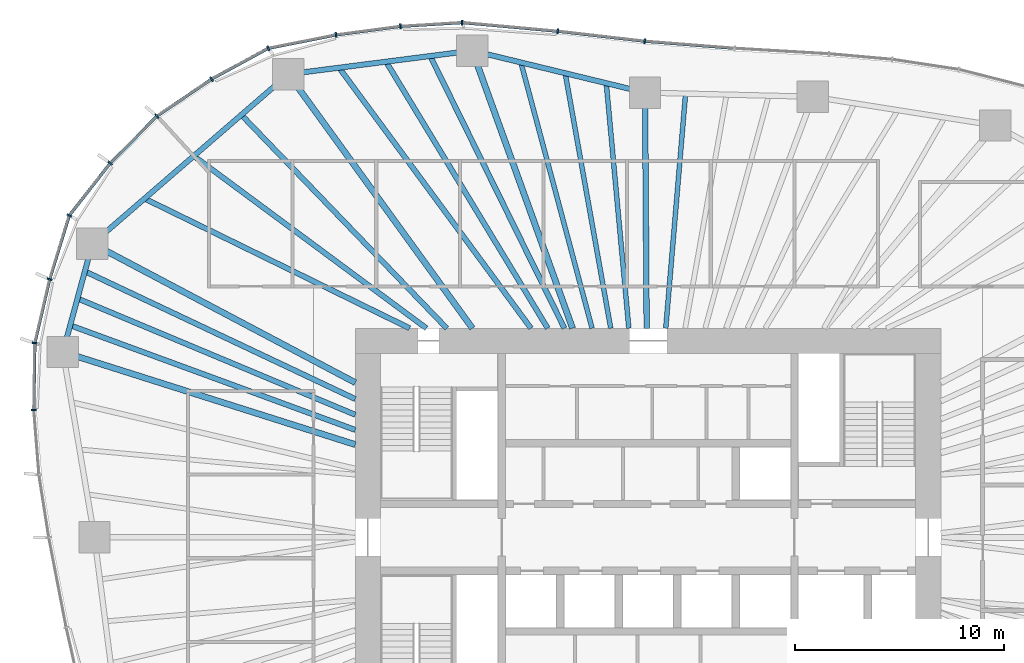
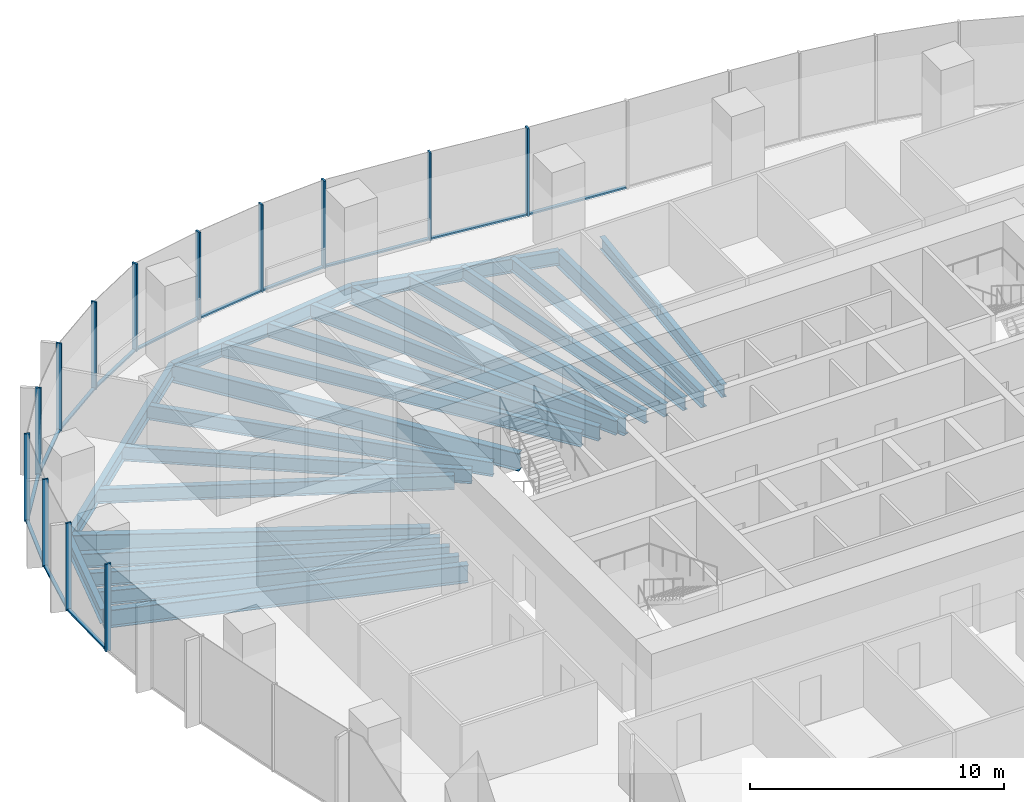
# One storey, part 5 of 18: 26 members, 22 beams, 6 elements without a shape of their own.
"""IFC4 building model written with IfcOpenShell, lengths in metres."""

from ifc_helpers import new_model, si_unit, direction, frame, origin, origin_2d, place, context, subcontext, project, spatial, rectangle, i_section, extrude, material, material_profile, profile_set, type_object, element, aggregate, save


model = new_model("IFC4")

# Units and contexts
model_context = context("Model", 3, precision=1e-05, world=origin(), true_north=direction((0.0, 1.0)))
body_context = subcontext(model_context, "Body", "Model", "MODEL_VIEW")
ifc_project = project(units=[si_unit("LENGTHUNIT", "METRE"), si_unit("AREAUNIT", "SQUARE_METRE"), si_unit("VOLUMEUNIT", "CUBIC_METRE"), si_unit("PLANEANGLEUNIT", "RADIAN"), si_unit("MASSUNIT", "GRAM", prefix="KILO")], contexts=[model_context])

# Site, building, storey
site_placement = place(None, origin())
site = spatial("IfcSite", under=ifc_project, at=site_placement, CompositionType="ELEMENT")
building_placement = place(site_placement, origin())
building = spatial("IfcBuilding", under=site, at=building_placement, Name="Ghaith Harvest Tower", CompositionType="ELEMENT")
storey_placement = place(building_placement, frame((0.0, 0.0, 113.39990234375)))
storey = spatial("IfcBuildingStorey", under=building, at=storey_placement, Name="L23", CompositionType="ELEMENT", Elevation=113.39990234375)

# Curtain wall, members
ifc_material_1 = material(Name="Black anodised aluminium and fritted glass", Category="aluminium")
curtain_wall_type = type_object("IfcCurtainWallType", Name="CW-L CURTAIN WALL", PredefinedType="NOTDEFINED", material=ifc_material_1)
curtain_wall_1_placement = place(storey_placement, origin())
curtain_wall_1 = element("IfcCurtainWall", 1, at=curtain_wall_1_placement, inside=storey, type_object=curtain_wall_type, Name="Curtain wall CW-L bay 06 L23", PredefinedType="NOTDEFINED")
ifc_material_2 = material(Name="Aluminium, black anodised", Category="aluminium")
ifc_material_profile_1 = material_profile(ifc_material_2, rectangle(XDim=0.080078125, YDim=0.239990234375, at=origin_2d()), Name="CW-L MULLION 80x240")
ifc_profile_set_1 = profile_set([ifc_material_profile_1], Name="Aluminium, black anodised")
member_type_1 = type_object("IfcMemberType", Name="CW-L MULLION 80x240", PredefinedType="MULLION", material=ifc_profile_set_1)
member_1_placement = place(storey_placement, frame((-0.162353515625, 23.729736328125, 0.0), z_axis=(0.0, 0.0, 1.0), x_axis=(-0.995388088953, 0.095929934691, 0.0)))
member_1 = element("IfcMember", 2, at=member_1_placement, type_object=member_type_1, Name="CW-L mullion 1 bay 06 L23", PredefinedType="MULLION", context=body_context, shape_type="SweptSolid", body=[
    extrude(rectangle(XDim=0.080078125, YDim=0.239990234375, at=origin_2d()), origin(), (0.0, 0.0, 1.0), 4.2001953125),
])
member_2_placement = place(storey_placement, frame((-4.322998046875, 24.207275390625, 0.0), z_axis=(0.0, 0.0, 1.0), x_axis=(-0.994830371571, 0.101550636625, 0.0)))
member_2 = element("IfcMember", 3, at=member_2_placement, type_object=member_type_1, Name="CW-L mullion 2 bay 06 L23", PredefinedType="MULLION", context=body_context, shape_type="SweptSolid", body=[
    extrude(rectangle(XDim=0.080078125, YDim=0.239990234375, at=origin_2d()), origin(), (0.0, 0.0, 1.0), 4.2001953125),
])

curtain_wall_2_placement = place(storey_placement, origin())
curtain_wall_2 = element("IfcCurtainWall", 4, at=curtain_wall_2_placement, inside=storey, type_object=curtain_wall_type, Name="Curtain wall CW-L bay 07 L23", PredefinedType="NOTDEFINED")
member_3_placement = place(storey_placement, frame((-8.892578125, 24.620849609375, 0.0), z_axis=(0.0, 0.0, 1.0), x_axis=(-0.999522209385, 0.030908784286, 0.0)))
member_3 = element("IfcMember", 5, at=member_3_placement, type_object=member_type_1, Name="CW-L mullion 1 bay 07 L23", PredefinedType="MULLION", context=body_context, shape_type="SweptSolid", body=[
    extrude(rectangle(XDim=0.080078125, YDim=0.239990234375, at=origin_2d()), origin(), (0.0, 0.0, 1.0), 4.2001953125),
])
member_4_placement = place(storey_placement, frame((-11.841064453125, 24.439697265625, 0.0), z_axis=(0.0, 0.0, 1.0), x_axis=(-0.995237520168, -0.097479630949, 0.0)))
member_4 = element("IfcMember", 6, at=member_4_placement, type_object=member_type_1, Name="CW-L mullion 2 bay 07 L23", PredefinedType="MULLION", context=body_context, shape_type="SweptSolid", body=[
    extrude(rectangle(XDim=0.080078125, YDim=0.239990234375, at=origin_2d()), origin(), (0.0, 0.0, 1.0), 4.2001953125),
])
member_5_placement = place(storey_placement, frame((-14.923828125, 24.030029296875, 0.0), z_axis=(0.0, 0.0, 1.0), x_axis=(-0.986494514812, -0.163794298578, 0.0)))
member_5 = element("IfcMember", 7, at=member_5_placement, type_object=member_type_1, Name="CW-L mullion 3 bay 07 L23", PredefinedType="MULLION", context=body_context, shape_type="SweptSolid", body=[
    extrude(rectangle(XDim=0.080078125, YDim=0.239990234375, at=origin_2d()), origin(), (0.0, 0.0, 1.0), 4.2001953125),
])

curtain_wall_3_placement = place(storey_placement, origin())
curtain_wall_3 = element("IfcCurtainWall", 8, at=curtain_wall_3_placement, inside=storey, type_object=curtain_wall_type, Name="Curtain wall CW-L bay 08 L23", PredefinedType="NOTDEFINED")
member_6_placement = place(storey_placement, frame((-18.165283203125, 23.3896484375, 0.0), z_axis=(0.0, 0.0, 1.0), x_axis=(-0.942103541202, -0.335322110298, 0.0)))
member_6 = element("IfcMember", 9, at=member_6_placement, type_object=member_type_1, Name="CW-L mullion 1 bay 08 L23", PredefinedType="MULLION", context=body_context, shape_type="SweptSolid", body=[
    extrude(rectangle(XDim=0.080078125, YDim=0.239990234375, at=origin_2d()), origin(), (0.0, 0.0, 1.0), 4.2001953125),
])
member_7_placement = place(storey_placement, frame((-20.87548828125, 21.91162109375, 0.0), z_axis=(0.0, 0.0, 1.0), x_axis=(-0.853515864435, -0.521066856707, 0.0)))
member_7 = element("IfcMember", 10, at=member_7_placement, type_object=member_type_1, Name="CW-L mullion 2 bay 08 L23", PredefinedType="MULLION", context=body_context, shape_type="SweptSolid", body=[
    extrude(rectangle(XDim=0.080078125, YDim=0.239990234375, at=origin_2d()), origin(), (0.0, 0.0, 1.0), 4.2001953125),
])
member_8_placement = place(storey_placement, frame((-23.489501953125, 20.13916015625, 0.0), z_axis=(0.0, 0.0, 1.0), x_axis=(-0.769682554376, -0.638426789451, 0.0)))
member_8 = element("IfcMember", 11, at=member_8_placement, type_object=member_type_1, Name="CW-L mullion 3 bay 08 L23", PredefinedType="MULLION", context=body_context, shape_type="SweptSolid", body=[
    extrude(rectangle(XDim=0.080078125, YDim=0.239990234375, at=origin_2d()), origin(), (0.0, 0.0, 1.0), 4.2001953125),
])

curtain_wall_4_placement = place(storey_placement, origin())
curtain_wall_4 = element("IfcCurtainWall", 12, at=curtain_wall_4_placement, inside=storey, type_object=curtain_wall_type, Name="Curtain wall CW-L bay 09 L23", PredefinedType="NOTDEFINED")
member_9_placement = place(storey_placement, frame((-25.718017578125, 17.894775390625, 0.0), z_axis=(0.0, 0.0, 1.0), x_axis=(-0.661903840688, -0.749588757708, 0.0)))
member_9 = element("IfcMember", 13, at=member_9_placement, type_object=member_type_1, Name="CW-L mullion 1 bay 09 L23", PredefinedType="MULLION", context=body_context, shape_type="SweptSolid", body=[
    extrude(rectangle(XDim=0.080078125, YDim=0.239990234375, at=origin_2d()), origin(), (0.0, 0.0, 1.0), 4.2001953125),
])
member_10_placement = place(storey_placement, frame((-27.67919921875, 15.39453125, 0.0), z_axis=(0.0, 0.0, 1.0), x_axis=(-0.462889784298, -0.886415843491, 0.0)))
member_10 = element("IfcMember", 14, at=member_10_placement, type_object=member_type_1, Name="CW-L mullion 2 bay 09 L23", PredefinedType="MULLION", context=body_context, shape_type="SweptSolid", body=[
    extrude(rectangle(XDim=0.080078125, YDim=0.239990234375, at=origin_2d()), origin(), (0.0, 0.0, 1.0), 4.2001953125),
])
member_11_placement = place(storey_placement, frame((-28.61669921875, 12.343994140625, 0.0), z_axis=(0.0, 0.0, 1.0), x_axis=(-0.260727312416, -0.965412486226, 0.0)))
member_11 = element("IfcMember", 15, at=member_11_placement, type_object=member_type_1, Name="CW-L mullion 3 bay 09 L23", PredefinedType="MULLION", context=body_context, shape_type="SweptSolid", body=[
    extrude(rectangle(XDim=0.080078125, YDim=0.239990234375, at=origin_2d()), origin(), (0.0, 0.0, 1.0), 4.2001953125),
])

curtain_wall_5_placement = place(storey_placement, origin())
curtain_wall_5 = element("IfcCurtainWall", 16, at=curtain_wall_5_placement, inside=storey, type_object=curtain_wall_type, Name="Curtain wall CW-L bay 10 L23", PredefinedType="NOTDEFINED")
member_12_placement = place(storey_placement, frame((-29.32666015625, 9.294189453125, 0.0), z_axis=(0.0, 0.0, 1.0), x_axis=(-0.120932140225, -0.99266077663, 0.0)))
member_12 = element("IfcMember", 17, at=member_12_placement, type_object=member_type_1, Name="CW-L mullion 1 bay 10 L23", PredefinedType="MULLION", context=body_context, shape_type="SweptSolid", body=[
    extrude(rectangle(XDim=0.080078125, YDim=0.239990234375, at=origin_2d()), origin(), (0.0, 0.0, 1.0), 4.2001953125),
])
member_13_placement = place(storey_placement, frame((-29.3779296875, 6.09619140625, 0.0), z_axis=(0.0, 0.0, 1.0), x_axis=(0.031027769448, -0.999518522851, 0.0)))
member_13 = element("IfcMember", 18, at=member_13_placement, type_object=member_type_1, Name="CW-L mullion 2 bay 10 L23", PredefinedType="MULLION", context=body_context, shape_type="SweptSolid", body=[
    extrude(rectangle(XDim=0.080078125, YDim=0.239990234375, at=origin_2d()), origin(), (0.0, 0.0, 1.0), 4.2001953125),
])

# Curtain wall, member
curtain_wall_6_placement = place(storey_placement, origin())
curtain_wall_6 = element("IfcCurtainWall", 19, at=curtain_wall_6_placement, inside=storey, type_object=curtain_wall_type, Name="Curtain wall CW-L bay 05 L23", PredefinedType="NOTDEFINED")
ifc_material_3 = material(Name="Aluminium, black anodised", Category="aluminium")
ifc_material_profile_2 = material_profile(ifc_material_3, rectangle(XDim=0.14990234375, YDim=0.080078125, at=origin_2d()), Name="CW-L TRANSOM 150x80")
ifc_profile_set_2 = profile_set([ifc_material_profile_2], Name="Aluminium, black anodised")
member_type_2 = type_object("IfcMemberType", Name="CW-L TRANSOM 150x80", PredefinedType="USERDEFINED", material=ifc_profile_set_2)
member_14_placement = place(storey_placement, frame((4.106689453125, 23.39404296875, 0.0400390625), z_axis=(-0.996923406046, 0.078381901463, 0.0), x_axis=(-0.078381901463, -0.996923406046, 0.0)))
member_14 = element("IfcMember", 20, at=member_14_placement, type_object=member_type_2, Name="CW-L transom 2 bay 05 L23", ObjectType="TRANSOM", PredefinedType="USERDEFINED", context=body_context, shape_type="SweptSolid", body=[
    extrude(rectangle(XDim=0.14990234375, YDim=0.080078125, at=origin_2d()), origin(), (0.0, 0.0, 1.0), 4.2421875),
])
aggregate(curtain_wall_6, [member_14])

# Member
member_15_placement = place(storey_placement, frame((-0.2021484375, 23.734130859375, 0.0400390625), z_axis=(-0.993474883942, 0.114051106861, 0.0), x_axis=(-0.114051106861, -0.993474883942, 0.0)))
member_15 = element("IfcMember", 21, at=member_15_placement, type_object=member_type_2, Name="CW-L transom 1 bay 06 L23", ObjectType="TRANSOM", PredefinedType="USERDEFINED", context=body_context, shape_type="SweptSolid", body=[
    extrude(rectangle(XDim=0.14990234375, YDim=0.080078125, at=origin_2d()), origin(), (0.0, 0.0, 1.0), 4.10791015625),
])

member_16_placement = place(storey_placement, frame((-4.36279296875, 24.210693359375, 0.0400390625), z_axis=(-0.995926431676, 0.090169521954, 0.0), x_axis=(-0.090169521954, -0.995926431676, 0.0)))
member_16 = element("IfcMember", 22, at=member_16_placement, type_object=member_type_2, Name="CW-L transom 2 bay 06 L23", ObjectType="TRANSOM", PredefinedType="USERDEFINED", context=body_context, shape_type="SweptSolid", body=[
    extrude(rectangle(XDim=0.14990234375, YDim=0.080078125, at=origin_2d()), origin(), (0.0, 0.0, 1.0), 4.508056640625),
])

aggregate(curtain_wall_1, [member_1, member_15, member_2, member_16])

member_17_placement = place(storey_placement, frame((-8.932373046875, 24.618408203125, 0.0400390625), z_axis=(-0.998117793577, -0.061325933705, 0.0), x_axis=(0.061325933705, -0.998117793577, 0.0)))
member_17 = element("IfcMember", 23, at=member_17_placement, type_object=member_type_2, Name="CW-L transom 1 bay 07 L23", ObjectType="TRANSOM", PredefinedType="USERDEFINED", context=body_context, shape_type="SweptSolid", body=[
    extrude(rectangle(XDim=0.14990234375, YDim=0.080078125, at=origin_2d()), origin(), (0.0, 0.0, 1.0), 2.874267578125),
])

member_18_placement = place(storey_placement, frame((-11.880859375, 24.434326171875, 0.0400390625), z_axis=(-0.991293929443, -0.131667556553, 0.0), x_axis=(0.131667556553, -0.991293929443, 0.0)))
member_18 = element("IfcMember", 24, at=member_18_placement, type_object=member_type_2, Name="CW-L transom 2 bay 07 L23", ObjectType="TRANSOM", PredefinedType="USERDEFINED", context=body_context, shape_type="SweptSolid", body=[
    extrude(rectangle(XDim=0.14990234375, YDim=0.080078125, at=origin_2d()), origin(), (0.0, 0.0, 1.0), 3.02978515625),
])

member_19_placement = place(storey_placement, frame((-14.963134765625, 24.022216796875, 0.0400390625), z_axis=(-0.98104391994, -0.19378551842, 0.0), x_axis=(0.19378551842, -0.98104391994, 0.0)))
member_19 = element("IfcMember", 25, at=member_19_placement, type_object=member_type_2, Name="CW-L transom 3 bay 07 L23", ObjectType="TRANSOM", PredefinedType="USERDEFINED", context=body_context, shape_type="SweptSolid", body=[
    extrude(rectangle(XDim=0.14990234375, YDim=0.080078125, at=origin_2d()), origin(), (0.0, 0.0, 1.0), 3.223876953125),
])

aggregate(curtain_wall_2, [member_3, member_17, member_4, member_18, member_5, member_19])

member_20_placement = place(storey_placement, frame((-18.200439453125, 23.37060546875, 0.0400390625), z_axis=(-0.877929702377, -0.478789554695, 0.0), x_axis=(0.478789554695, -0.877929702377, 0.0)))
member_20 = element("IfcMember", 26, at=member_20_placement, type_object=member_type_2, Name="CW-L transom 1 bay 08 L23", ObjectType="TRANSOM", PredefinedType="USERDEFINED", context=body_context, shape_type="SweptSolid", body=[
    extrude(rectangle(XDim=0.14990234375, YDim=0.080078125, at=origin_2d()), origin(), (0.0, 0.0, 1.0), 3.0068359375),
])

member_21_placement = place(storey_placement, frame((-20.908447265625, 21.88916015625, 0.0400390625), z_axis=(-0.827681025079, -0.561198824593, 0.0), x_axis=(0.561198824593, -0.827681025079, 0.0)))
member_21 = element("IfcMember", 27, at=member_21_placement, type_object=member_type_2, Name="CW-L transom 2 bay 08 L23", ObjectType="TRANSOM", PredefinedType="USERDEFINED", context=body_context, shape_type="SweptSolid", body=[
    extrude(rectangle(XDim=0.14990234375, YDim=0.080078125, at=origin_2d()), origin(), (0.0, 0.0, 1.0), 3.078369140625),
])

member_22_placement = place(storey_placement, frame((-23.517578125, 20.11083984375, 0.0400390625), z_axis=(-0.704647577514, -0.709557461735, 0.0), x_axis=(0.709557461735, -0.704647577514, 0.0)))
member_22 = element("IfcMember", 28, at=member_22_placement, type_object=member_type_2, Name="CW-L transom 3 bay 08 L23", ObjectType="TRANSOM", PredefinedType="USERDEFINED", context=body_context, shape_type="SweptSolid", body=[
    extrude(rectangle(XDim=0.14990234375, YDim=0.080078125, at=origin_2d()), origin(), (0.0, 0.0, 1.0), 3.0830078125),
])

aggregate(curtain_wall_3, [member_6, member_20, member_7, member_21, member_8, member_22])

member_23_placement = place(storey_placement, frame((-25.74267578125, 17.86328125, 0.0400390625), z_axis=(-0.617198298797, -0.786807638474, 0.0), x_axis=(0.786807638474, -0.617198298797, 0.0)))
member_23 = element("IfcMember", 29, at=member_23_placement, type_object=member_type_2, Name="CW-L transom 1 bay 09 L23", ObjectType="TRANSOM", PredefinedType="USERDEFINED", context=body_context, shape_type="SweptSolid", body=[
    extrude(rectangle(XDim=0.14990234375, YDim=0.080078125, at=origin_2d()), origin(), (0.0, 0.0, 1.0), 3.09765625),
])

member_24_placement = place(storey_placement, frame((-27.69091796875, 15.356201171875, 0.0400390625), z_axis=(-0.293777058804, -0.955873966441, 0.0), x_axis=(0.955873966441, -0.293777058804, 0.0)))
member_24 = element("IfcMember", 30, at=member_24_placement, type_object=member_type_2, Name="CW-L transom 2 bay 09 L23", ObjectType="TRANSOM", PredefinedType="USERDEFINED", context=body_context, shape_type="SweptSolid", body=[
    extrude(rectangle(XDim=0.14990234375, YDim=0.080078125, at=origin_2d()), origin(), (0.0, 0.0, 1.0), 3.111328125),
])

member_25_placement = place(storey_placement, frame((-28.6259765625, 12.304931640625, 0.0400390625), z_axis=(-0.226670598607, -0.973971477882, 0.0), x_axis=(0.973971477882, -0.226670598607, 0.0)))
member_25 = element("IfcMember", 31, at=member_25_placement, type_object=member_type_2, Name="CW-L transom 3 bay 09 L23", ObjectType="TRANSOM", PredefinedType="USERDEFINED", context=body_context, shape_type="SweptSolid", body=[
    extrude(rectangle(XDim=0.14990234375, YDim=0.080078125, at=origin_2d()), origin(), (0.0, 0.0, 1.0), 3.05126953125),
])

aggregate(curtain_wall_4, [member_9, member_23, member_10, member_24, member_11, member_25])

member_26_placement = place(storey_placement, frame((-29.327392578125, 9.254150390625, 0.0400390625), z_axis=(-0.015971652868, -0.999872445017, 0.0), x_axis=(0.999872445017, -0.015971652868, 0.0)))
member_26 = element("IfcMember", 32, at=member_26_placement, type_object=member_type_2, Name="CW-L transom 1 bay 10 L23", ObjectType="TRANSOM", PredefinedType="USERDEFINED", context=body_context, shape_type="SweptSolid", body=[
    extrude(rectangle(XDim=0.14990234375, YDim=0.080078125, at=origin_2d()), origin(), (0.0, 0.0, 1.0), 3.118408203125),
])

aggregate(curtain_wall_5, [member_12, member_26, member_13])

# Beams
ifc_material_4 = material(Name="Steel ASTM A992 Grade 50", Category="steel")
ifc_material_profile_3 = material_profile(ifc_material_4, i_section(OverallWidth=0.25390625, OverallDepth=0.68408203125, WebThickness=0.012451171875, FlangeThickness=0.018798828125, at=origin_2d()), Name="W690X140")
ifc_profile_set_3 = profile_set([ifc_material_profile_3], Name="Steel ASTM A992 Grade 50")
beam_type_1 = type_object("IfcBeamType", Name="E690-140 W690X140", PredefinedType="SPANDREL", material=ifc_profile_set_3)
beam_1_placement = place(storey_placement, frame((-0.14599609375, 21.27099609375, -0.511962890625), z_axis=(-0.971790293477, 0.235846614358, 0.0), x_axis=(-0.235846614358, -0.971790293477, 0.0)))
element("IfcBeam", 33, at=beam_1_placement, inside=storey, type_object=beam_type_1, Name="Edge beam E06 L23", PredefinedType="SPANDREL", context=body_context, shape_type="SweptSolid", body=[
    extrude(i_section(OverallWidth=0.25390625, OverallDepth=0.68408203125, WebThickness=0.012451171875, FlangeThickness=0.018798828125, at=origin_2d()), origin(), (0.0, 0.0, 1.0), 8.500732421875),
])
beam_2_placement = place(storey_placement, frame((-8.406982421875, 23.27587890625, -0.511962890625), z_axis=(-0.991904090065, -0.126989275577, 0.0), x_axis=(0.126989275577, -0.991904090065, 0.0)))
element("IfcBeam", 34, at=beam_2_placement, inside=storey, type_object=beam_type_1, Name="Edge beam E07 L23", PredefinedType="SPANDREL", context=body_context, shape_type="SweptSolid", body=[
    extrude(i_section(OverallWidth=0.25390625, OverallDepth=0.68408203125, WebThickness=0.012451171875, FlangeThickness=0.018798828125, at=origin_2d()), origin(), (0.0, 0.0, 1.0), 8.86669921875),
])
beam_3_placement = place(storey_placement, frame((-17.201904296875, 22.14990234375, -0.511962890625), z_axis=(-0.756392158274, -0.654118416574, 0.0), x_axis=(0.654118416574, -0.756392158274, 0.0)))
element("IfcBeam", 35, at=beam_3_placement, inside=storey, type_object=beam_type_1, Name="Edge beam E08 L23", PredefinedType="SPANDREL", context=body_context, shape_type="SweptSolid", body=[
    extrude(i_section(OverallWidth=0.25390625, OverallDepth=0.68408203125, WebThickness=0.012451171875, FlangeThickness=0.018798828125, at=origin_2d()), origin(), (0.0, 0.0, 1.0), 12.38916015625),
])
beam_4_placement = place(storey_placement, frame((-26.572998046875, 14.0458984375, -0.511962890625), z_axis=(-0.262724740433, -0.964870825947, 0.0), x_axis=(0.964870825947, -0.262724740433, 0.0)))
element("IfcBeam", 36, at=beam_4_placement, inside=storey, type_object=beam_type_1, Name="Edge beam E09 L23", PredefinedType="SPANDREL", context=body_context, shape_type="SweptSolid", body=[
    extrude(i_section(OverallWidth=0.25390625, OverallDepth=0.68408203125, WebThickness=0.012451171875, FlangeThickness=0.018798828125, at=origin_2d()), origin(), (0.0, 0.0, 1.0), 5.366455078125),
])
ifc_material_5 = material(Name="Steel ASTM A992 Grade 50", Category="steel")
ifc_material_profile_4 = material_profile(ifc_material_5, i_section(OverallWidth=0.26806640625, OverallDepth=0.77001953125, WebThickness=0.015625, FlangeThickness=0.025390625, at=origin_2d()), Name="W760X196")
ifc_profile_set_4 = profile_set([ifc_material_profile_4], Name="Steel ASTM A992 Grade 50")
beam_type_2 = type_object("IfcBeamType", Name="G760-196 W760X196", PredefinedType="BEAM", material=ifc_profile_set_4)
beam_5_placement = place(storey_placement, frame((-0.068359375, 10.0, -0.554931640625), z_axis=(-0.006888022705, 0.99997627729, 0.0), x_axis=(-0.99997627729, -0.006888022705, 0.0)))
element("IfcBeam", 37, at=beam_5_placement, inside=storey, type_object=beam_type_2, Name="Radial girder G06 L23", PredefinedType="BEAM", context=body_context, shape_type="SweptSolid", body=[
    extrude(i_section(OverallWidth=0.26806640625, OverallDepth=0.77001953125, WebThickness=0.015625, FlangeThickness=0.025390625, at=origin_2d()), origin(), (0.0, 0.0, 1.0), 11.271240234375),
])
ifc_material_6 = material(Name="Steel ASTM A992 Grade 50", Category="steel")
ifc_material_profile_5 = material_profile(ifc_material_6, i_section(OverallWidth=0.2939453125, OverallDepth=0.85107421875, WebThickness=0.01611328125, FlangeThickness=0.02685546875, at=origin_2d()), Name="W840X226")
ifc_profile_set_5 = profile_set([ifc_material_profile_5], Name="Steel ASTM A992 Grade 50")
beam_type_3 = type_object("IfcBeamType", Name="G840-226 W840X226", PredefinedType="BEAM", material=ifc_profile_set_5)
beam_6_placement = place(storey_placement, frame((-3.61181640625, 10.0, -0.595458984375), z_axis=(-0.339713316819, 0.940529033245, 0.0), x_axis=(-0.940529033245, -0.339713316819, 0.0)))
element("IfcBeam", 38, at=beam_6_placement, inside=storey, type_object=beam_type_3, Name="Radial girder G07 L23", PredefinedType="BEAM", context=body_context, shape_type="SweptSolid", body=[
    extrude(i_section(OverallWidth=0.2939453125, OverallDepth=0.85107421875, WebThickness=0.01611328125, FlangeThickness=0.02685546875, at=origin_2d()), origin(), (0.0, 0.0, 1.0), 14.115234375),
])
beam_7_placement = place(storey_placement, frame((-8.39990234375, 10.0, -0.595458984375), z_axis=(-0.586675813287, 0.809821887889, 0.0), x_axis=(-0.809821887889, -0.586675813287, 0.0)))
element("IfcBeam", 39, at=beam_7_placement, inside=storey, type_object=beam_type_3, Name="Radial girder G08 L23", PredefinedType="BEAM", context=body_context, shape_type="SweptSolid", body=[
    extrude(i_section(OverallWidth=0.2939453125, OverallDepth=0.85107421875, WebThickness=0.01611328125, FlangeThickness=0.02685546875, at=origin_2d()), origin(), (0.0, 0.0, 1.0), 15.003173828125),
])
beam_8_placement = place(storey_placement, frame((-14.0, 7.39990234375, -0.595458984375), z_axis=(-0.88408713845, 0.467322085533, 0.0), x_axis=(-0.467322085533, -0.88408713845, 0.0)))
element("IfcBeam", 40, at=beam_8_placement, inside=storey, type_object=beam_type_3, Name="Radial girder G09 L23", PredefinedType="BEAM", context=body_context, shape_type="SweptSolid", body=[
    extrude(i_section(OverallWidth=0.2939453125, OverallDepth=0.85107421875, WebThickness=0.01611328125, FlangeThickness=0.02685546875, at=origin_2d()), origin(), (0.0, 0.0, 1.0), 14.221435546875),
])
beam_9_placement = place(storey_placement, frame((-14.0, 4.43701171875, -0.595458984375), z_axis=(-0.953283605796, 0.302076756671, 0.0), x_axis=(-0.302076756671, -0.953283605796, 0.0)))
element("IfcBeam", 41, at=beam_9_placement, inside=storey, type_object=beam_type_3, Name="Radial girder G10 L23", PredefinedType="BEAM", context=body_context, shape_type="SweptSolid", body=[
    extrude(i_section(OverallWidth=0.2939453125, OverallDepth=0.85107421875, WebThickness=0.01611328125, FlangeThickness=0.02685546875, at=origin_2d()), origin(), (0.0, 0.0, 1.0), 14.668212890625),
])
ifc_material_7 = material(Name="Steel ASTM A992 Grade 50", Category="steel")
ifc_material_profile_6 = material_profile(ifc_material_7, i_section(OverallWidth=0.22900390625, OverallDepth=0.612060546875, WebThickness=0.011962890625, FlangeThickness=0.01953125, at=origin_2d()), Name="W610X125")
ifc_profile_set_6 = profile_set([ifc_material_profile_6], Name="Steel ASTM A992 Grade 50")
beam_type_4 = type_object("IfcBeamType", Name="J610-125 W610X125", PredefinedType="JOIST", material=ifc_profile_set_6)
beam_10_placement = place(storey_placement, frame((0.844970703125, 10.0, -0.475830078125), z_axis=(0.084213263804, 0.996447753873, 0.0), x_axis=(-0.996447753873, 0.084213263804, 0.0)))
element("IfcBeam", 42, at=beam_10_placement, inside=storey, type_object=beam_type_4, Name="Joist J05.3 L23", PredefinedType="JOIST", context=body_context, shape_type="SweptSolid", body=[
    extrude(i_section(OverallWidth=0.22900390625, OverallDepth=0.612060546875, WebThickness=0.011962890625, FlangeThickness=0.01953125, at=origin_2d()), origin(), (0.0, 0.0, 1.0), 11.262939453125),
])
beam_11_placement = place(storey_placement, frame((-0.92041015625, 10.0, -0.475830078125), z_axis=(-0.091659676302, 0.995790391468, 0.0), x_axis=(-0.995790391468, -0.091659676302, 0.0)))
element("IfcBeam", 43, at=beam_11_placement, inside=storey, type_object=beam_type_4, Name="Joist J06.1 L23", PredefinedType="JOIST", context=body_context, shape_type="SweptSolid", body=[
    extrude(i_section(OverallWidth=0.22900390625, OverallDepth=0.612060546875, WebThickness=0.011962890625, FlangeThickness=0.01953125, at=origin_2d()), origin(), (0.0, 0.0, 1.0), 11.770263671875),
])
beam_12_placement = place(storey_placement, frame((-1.785888671875, 10.0, -0.475830078125), z_axis=(-0.175794730188, 0.984426844838, 0.0), x_axis=(-0.984426844838, -0.175794730188, 0.0)))
element("IfcBeam", 44, at=beam_12_placement, inside=storey, type_object=beam_type_4, Name="Joist J06.2 L23", PredefinedType="JOIST", context=body_context, shape_type="SweptSolid", body=[
    extrude(i_section(OverallWidth=0.22900390625, OverallDepth=0.612060546875, WebThickness=0.011962890625, FlangeThickness=0.01953125, at=origin_2d()), origin(), (0.0, 0.0, 1.0), 12.390625),
])
beam_13_placement = place(storey_placement, frame((-2.677978515625, 10.0, -0.475830078125), z_axis=(-0.258692500157, 0.965959725021, 0.0), x_axis=(-0.965959725021, -0.258692500157, 0.0)))
element("IfcBeam", 45, at=beam_13_placement, inside=storey, type_object=beam_type_4, Name="Joist J06.3 L23", PredefinedType="JOIST", context=body_context, shape_type="SweptSolid", body=[
    extrude(i_section(OverallWidth=0.22900390625, OverallDepth=0.612060546875, WebThickness=0.011962890625, FlangeThickness=0.01953125, at=origin_2d()), origin(), (0.0, 0.0, 1.0), 13.15966796875),
])
ifc_material_8 = material(Name="Steel ASTM A992 Grade 50", Category="steel")
ifc_material_profile_7 = material_profile(ifc_material_8, i_section(OverallWidth=0.25390625, OverallDepth=0.68408203125, WebThickness=0.012451171875, FlangeThickness=0.018798828125, at=origin_2d()), Name="W690X140")
ifc_profile_set_7 = profile_set([ifc_material_profile_7], Name="Steel ASTM A992 Grade 50")
beam_type_5 = type_object("IfcBeamType", Name="J690-140 W690X140", PredefinedType="JOIST", material=ifc_profile_set_7)
beam_14_placement = place(storey_placement, frame((-4.0, 10.0, -0.511962890625), z_axis=(-0.442214455448, 0.896909346251, 0.0), x_axis=(-0.896909346251, -0.442214455448, 0.0)))
element("IfcBeam", 46, at=beam_14_placement, inside=storey, type_object=beam_type_5, Name="Joist J07.1 L23", PredefinedType="JOIST", context=body_context, shape_type="SweptSolid", body=[
    extrude(i_section(OverallWidth=0.25390625, OverallDepth=0.68408203125, WebThickness=0.012451171875, FlangeThickness=0.018798828125, at=origin_2d()), origin(), (0.0, 0.0, 1.0), 14.514892578125),
])
beam_15_placement = place(storey_placement, frame((-4.800048828125, 10.0, -0.511962890625), z_axis=(-0.51847337083, 0.855093774822, 0.0), x_axis=(-0.855093774822, -0.51847337083, 0.0)))
element("IfcBeam", 47, at=beam_15_placement, inside=storey, type_object=beam_type_5, Name="Joist J07.2 L23", PredefinedType="JOIST", context=body_context, shape_type="SweptSolid", body=[
    extrude(i_section(OverallWidth=0.25390625, OverallDepth=0.68408203125, WebThickness=0.012451171875, FlangeThickness=0.018798828125, at=origin_2d()), origin(), (0.0, 0.0, 1.0), 14.90869140625),
])
beam_16_placement = place(storey_placement, frame((-5.60009765625, 10.0, -0.511962890625), z_axis=(-0.592984827174, 0.805213632983, 0.0), x_axis=(-0.805213632983, -0.592984827174, 0.0)))
element("IfcBeam", 48, at=beam_16_placement, inside=storey, type_object=beam_type_5, Name="Joist J07.3 L23", PredefinedType="JOIST", context=body_context, shape_type="SweptSolid", body=[
    extrude(i_section(OverallWidth=0.25390625, OverallDepth=0.68408203125, WebThickness=0.012451171875, FlangeThickness=0.018798828125, at=origin_2d()), origin(), (0.0, 0.0, 1.0), 15.474609375),
])
beam_17_placement = place(storey_placement, frame((-9.626708984375, 10.0, -0.511962890625), z_axis=(-0.693535693616, 0.720422266231, 0.0), x_axis=(-0.720422266231, -0.693535693616, 0.0)))
element("IfcBeam", 49, at=beam_17_placement, inside=storey, type_object=beam_type_5, Name="Joist J08.1 L23", PredefinedType="JOIST", context=body_context, shape_type="SweptSolid", body=[
    extrude(i_section(OverallWidth=0.25390625, OverallDepth=0.68408203125, WebThickness=0.012451171875, FlangeThickness=0.018798828125, at=origin_2d()), origin(), (0.0, 0.0, 1.0), 14.16552734375),
])
beam_18_placement = place(storey_placement, frame((-10.60009765625, 10.0, -0.511962890625), z_axis=(-0.803663089107, 0.595084564752, 0.0), x_axis=(-0.595084564752, -0.803663089107, 0.0)))
element("IfcBeam", 50, at=beam_18_placement, inside=storey, type_object=beam_type_5, Name="Joist J08.2 L23", PredefinedType="JOIST", context=body_context, shape_type="SweptSolid", body=[
    extrude(i_section(OverallWidth=0.25390625, OverallDepth=0.68408203125, WebThickness=0.012451171875, FlangeThickness=0.018798828125, at=origin_2d()), origin(), (0.0, 0.0, 1.0), 13.843505859375),
])
beam_19_placement = place(storey_placement, frame((-11.39990234375, 10.0, -0.511962890625), z_axis=(-0.898274832354, 0.439434096946, 0.0), x_axis=(-0.439434096946, -0.898274832354, 0.0)))
element("IfcBeam", 51, at=beam_19_placement, inside=storey, type_object=beam_type_5, Name="Joist J08.3 L23", PredefinedType="JOIST", context=body_context, shape_type="SweptSolid", body=[
    extrude(i_section(OverallWidth=0.25390625, OverallDepth=0.68408203125, WebThickness=0.012451171875, FlangeThickness=0.018798828125, at=origin_2d()), origin(), (0.0, 0.0, 1.0), 14.114990234375),
])
beam_20_placement = place(storey_placement, frame((-14.0, 6.614990234375, -0.511962890625), z_axis=(-0.904153428261, 0.427207886354, 0.0), x_axis=(-0.427207886354, -0.904153428261, 0.0)))
element("IfcBeam", 52, at=beam_20_placement, inside=storey, type_object=beam_type_5, Name="Joist J09.1 L23", PredefinedType="JOIST", context=body_context, shape_type="SweptSolid", body=[
    extrude(i_section(OverallWidth=0.25390625, OverallDepth=0.68408203125, WebThickness=0.012451171875, FlangeThickness=0.018798828125, at=origin_2d()), origin(), (0.0, 0.0, 1.0), 14.303466796875),
])
beam_21_placement = place(storey_placement, frame((-14.0, 5.862548828125, -0.511962890625), z_axis=(-0.922385943167, 0.38626955853, 0.0), x_axis=(-0.38626955853, -0.922385943167, 0.0)))
element("IfcBeam", 53, at=beam_21_placement, inside=storey, type_object=beam_type_5, Name="Joist J09.2 L23", PredefinedType="JOIST", context=body_context, shape_type="SweptSolid", body=[
    extrude(i_section(OverallWidth=0.25390625, OverallDepth=0.68408203125, WebThickness=0.012451171875, FlangeThickness=0.018798828125, at=origin_2d()), origin(), (0.0, 0.0, 1.0), 14.404296875),
])
beam_22_placement = place(storey_placement, frame((-14.0, 5.137939453125, -0.511962890625), z_axis=(-0.93877541132, 0.344529718748, 0.0), x_axis=(-0.344529718748, -0.93877541132, 0.0)))
element("IfcBeam", 54, at=beam_22_placement, inside=storey, type_object=beam_type_5, Name="Joist J09.3 L23", PredefinedType="JOIST", context=body_context, shape_type="SweptSolid", body=[
    extrude(i_section(OverallWidth=0.25390625, OverallDepth=0.68408203125, WebThickness=0.012451171875, FlangeThickness=0.018798828125, at=origin_2d()), origin(), (0.0, 0.0, 1.0), 14.525390625),
])

save(model, "model.ifc")
